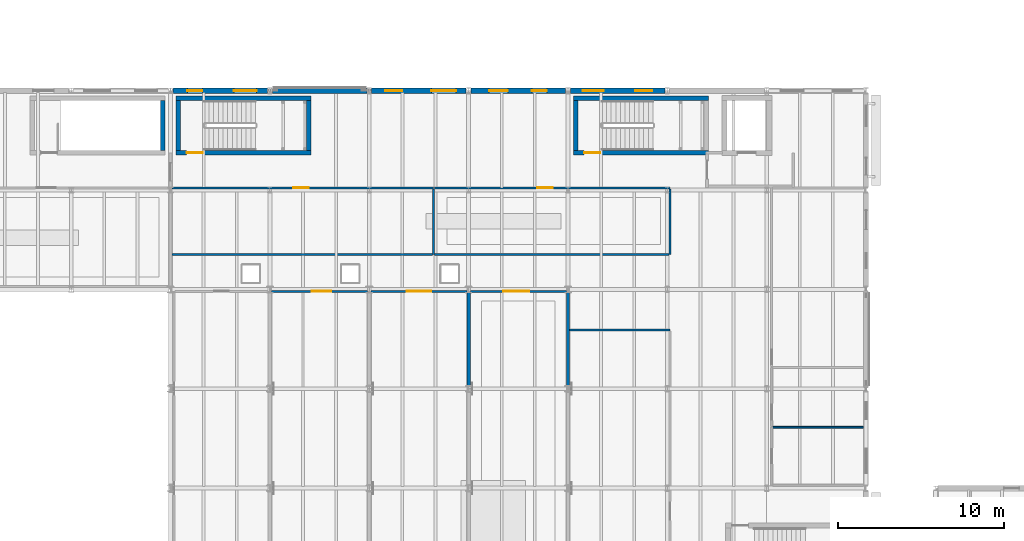
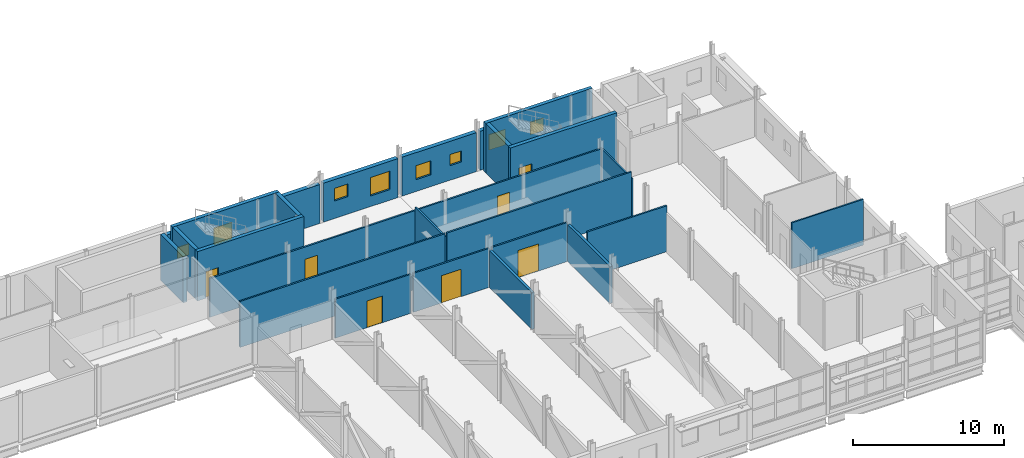
# One storey, part 70 of 92: 26 walls, 8 windows, 7 doors, 15 openings.
"""IFC4 building model written with IfcOpenShell, lengths in metres."""

import ifcopenshell
import ifcopenshell.guid

model = None  # the IFC model being written
_history = None  # IfcOwnerHistory: only IFC2X3 demands one
_inside = {}  # id of a spatial element -> (the spatial element, [elements in it])
_under = {}  # id of a project, library or spatial element -> (it, [spatial elements below it])
_declared = {}  # id of a project -> (the project, [libraries it declares])
_typed = {}  # id of a type object -> (the type object, [elements of that type])
_made_of = {}  # id of a material, layer set ... -> (it, [elements and type objects made of it])


def new_model(schema):
    """Start an empty IFC model of exactly this schema.

    Asked for "IFC4X3", IfcOpenShell would pick the latest addendum, in which some entities
    have other attributes; the version numbers below select the first issue.
    IFC2X3 requires an IfcOwnerHistory on every rooted entity: one is made here for all.
    """
    global model, _history
    if schema == "IFC4X3":
        model = ifcopenshell.file(schema_version=(4, 3, 0, 0))
    else:
        model = ifcopenshell.file(schema=schema)
    _inside.clear()
    _under.clear()
    _declared.clear()
    _typed.clear()
    _made_of.clear()
    _history = None
    if model.schema == "IFC2X3":
        org = make("IfcOrganization", Name="unknown")
        user = make(
            "IfcPersonAndOrganization",
            ThePerson=make("IfcPerson", FamilyName="unknown"),
            TheOrganization=org,
        )
        app = make(
            "IfcApplication",
            ApplicationDeveloper=org,
            Version="unknown",
            ApplicationFullName="unknown",
            ApplicationIdentifier="unknown",
        )
        _history = make(
            "IfcOwnerHistory",
            OwningUser=user,
            OwningApplication=app,
            ChangeAction="ADDED",
            CreationDate=0,
        )
    return model


def make(cls, **values):
    """One entity of the class cls with the attributes given. An attribute that is None is left unset."""
    return model.create_entity(
        cls, **{name: value for name, value in values.items() if value is not None}
    )


def rooted(cls, **values):
    """An entity with a GlobalId (a new one), such as an element, a storey or a relation."""
    return make(cls, GlobalId=ifcopenshell.guid.new(), OwnerHistory=_history, **values)


def si_unit(unit_type, name, prefix=None):
    """IfcSIUnit, for example si_unit("LENGTHUNIT", "METRE", prefix="MILLI")."""
    return make("IfcSIUnit", UnitType=unit_type, Prefix=prefix, Name=name)


def assignment(units):
    """IfcUnitAssignment: the units of a project."""
    return None if units is None else make("IfcUnitAssignment", Units=units)


def point(xyz):
    """IfcCartesianPoint."""
    return None if xyz is None else make("IfcCartesianPoint", Coordinates=xyz)


def direction(xyz):
    """IfcDirection."""
    return None if xyz is None else make("IfcDirection", DirectionRatios=xyz)


def frame(location, z_axis=None, x_axis=None):
    """IfcAxis2Placement3D, a coordinate frame: its origin and axes. An axis left out is left unset."""
    return make(
        "IfcAxis2Placement3D",
        Location=point(location),
        Axis=direction(z_axis),
        RefDirection=direction(x_axis),
    )


def frame_2d(location, x_axis=None):
    """IfcAxis2Placement2D, a coordinate frame in the plane: its origin and x axis."""
    return make(
        "IfcAxis2Placement2D", Location=point(location), RefDirection=direction(x_axis)
    )


def origin():
    """The frame at (0, 0, 0) with its axes left unset."""
    return frame((0.0, 0.0, 0.0))


def place(relative_to, where):
    """IfcLocalPlacement: puts the frame where relative to a parent placement (None: the world)."""
    return make(
        "IfcLocalPlacement", PlacementRelTo=relative_to, RelativePlacement=where
    )


def context(
    kind, dimensions, precision=None, world=None, true_north=None, identifier=None
):
    """IfcGeometricRepresentationContext, for example the 3D "Model" context."""
    return make(
        "IfcGeometricRepresentationContext",
        ContextIdentifier=identifier,
        ContextType=kind,
        CoordinateSpaceDimension=dimensions,
        Precision=precision,
        WorldCoordinateSystem=world,
        TrueNorth=true_north,
    )


def subcontext(parent, identifier, kind, view, scale=None):
    """IfcGeometricRepresentationSubContext, for example "Body" below "Model"."""
    return make(
        "IfcGeometricRepresentationSubContext",
        ContextIdentifier=identifier,
        ContextType=kind,
        ParentContext=parent,
        TargetScale=scale,
        TargetView=view,
    )


def project(units=None, contexts=None):
    """IfcProject with its units and contexts."""
    return rooted(
        "IfcProject",
        Name="project",
        RepresentationContexts=contexts,
        UnitsInContext=assignment(units),
    )


def spatial(cls, under=None, at=None, **own):
    """A site, building, storey or space (cls), placed at a placement, below another one or the project."""
    s = rooted(cls, ObjectPlacement=at, **own)
    if under is not None:
        _under.setdefault(under.id(), (under, []))[1].append(s)
    return s


def profile(cls, at=None, kind="AREA", **sizes):
    """A parametric profile (cls). Its sizes go by their IFC names, for example OverallWidth=200.0."""
    return make(cls, ProfileType=kind, Position=at, **sizes)


def rectangle(**sizes):
    """IfcRectangleProfileDef."""
    return profile("IfcRectangleProfileDef", **sizes)


def extrude(swept, where, along, depth):
    """IfcExtrudedAreaSolid: the profile swept, set in the frame where, extruded along a direction by depth."""
    return make(
        "IfcExtrudedAreaSolid",
        SweptArea=swept,
        Position=where,
        ExtrudedDirection=direction(along),
        Depth=depth,
    )


def shape(context_of_items, identifier, shape_type, items):
    """IfcShapeRepresentation: the items that make up one representation, for example the "Body"."""
    return make(
        "IfcShapeRepresentation",
        ContextOfItems=context_of_items,
        RepresentationIdentifier=identifier,
        RepresentationType=shape_type,
        Items=items,
    )


def material(Name=None, Category=None):
    """IfcMaterial."""
    return make("IfcMaterial", Name=Name, Category=Category)


def layer(
    of_material, thickness, ventilated=None, Name=None, Category=None, Priority=None
):
    """IfcMaterialLayer: one layer of a wall or slab, of a material (None: an air gap)."""
    return make(
        "IfcMaterialLayer",
        Material=of_material,
        LayerThickness=thickness,
        IsVentilated=ventilated,
        Name=Name,
        Category=Category,
        Priority=Priority,
    )


def layer_set(layers, Name=None):
    """IfcMaterialLayerSet."""
    return make("IfcMaterialLayerSet", MaterialLayers=layers, LayerSetName=Name)


def made_of(thing, what):
    """Note that an element or type object is made of a material, layer set ...; save() writes the relation."""
    if what is not None:
        _made_of.setdefault(what.id(), (what, []))[1].append(thing)
    return thing


def type_object(cls, material=None, **own):
    """A type object (cls), such as IfcWallType, which elements share."""
    return made_of(rooted(cls, **own), material)


def element(
    cls,
    number,
    at=None,
    inside=None,
    cuts=None,
    type_object=None,
    material=None,
    context=None,
    identifier="Body",
    shape_type=None,
    held_by="IfcProductDefinitionShape",
    body=None,
    shapes=None,
    **own,
):
    """One element of the class cls, such as IfcWall. Its Tag is "e" and its number.

    at: its placement. inside: the storey or other place that contains it. cuts: it is an
    opening in that element (IfcRelVoidsElement). A single representation is given by context,
    identifier, shape_type and body (its items); several are given by shapes. held_by: the class
    of the entity that holds the representations. save() writes the other relations.
    """
    e = rooted(cls, Tag="e%d" % number, ObjectPlacement=at, **own)
    if body is not None:
        shapes = [shape(context, identifier, shape_type, body)]
    if shapes is not None:
        e.Representation = make(held_by, Representations=shapes)
    if inside is not None:
        _inside.setdefault(inside.id(), (inside, []))[1].append(e)
    if cuts is not None:
        rooted(
            "IfcRelVoidsElement", RelatingBuildingElement=cuts, RelatedOpeningElement=e
        )
    if type_object is not None:
        _typed.setdefault(type_object.id(), (type_object, []))[1].append(e)
    return made_of(e, material)


def fill(opening, filler):
    """IfcRelFillsElement: the door or window that sits in an opening."""
    return rooted(
        "IfcRelFillsElement",
        RelatingOpeningElement=opening,
        RelatedBuildingElement=filler,
    )


def aggregate(whole, parts):
    """IfcRelAggregates: a whole, such as a stair, and the parts it consists of."""
    return rooted("IfcRelAggregates", RelatingObject=whole, RelatedObjects=parts)


def save(model, path):
    """Write the relations noted so far, then the file.

    IfcRelAggregates (storeys below a building ...), IfcRelContainedInSpatialStructure (elements
    in a storey), IfcRelDefinesByType, IfcRelAssociatesMaterial and IfcRelDeclares: one each for
    every whole, place, type object, material and project.
    """
    for whole, parts in _under.values():
        aggregate(whole, parts)
    for where, things in _inside.values():
        rooted(
            "IfcRelContainedInSpatialStructure",
            RelatedElements=things,
            RelatingStructure=where,
        )
    for kind, things in _typed.values():
        rooted("IfcRelDefinesByType", RelatedObjects=things, RelatingType=kind)
    for what, things in _made_of.values():
        rooted("IfcRelAssociatesMaterial", RelatedObjects=things, RelatingMaterial=what)
    for by, libraries in _declared.values():
        rooted("IfcRelDeclares", RelatingContext=by, RelatedDefinitions=libraries)
    model.write(path)


model = new_model("IFC4")

# Units and contexts
model_context = context("Model", 3, precision=1e-05, world=origin(), true_north=direction((0.0, 1.0)))
body_context = subcontext(model_context, "Body", "Model", "MODEL_VIEW")
ifc_project = project(units=[si_unit("LENGTHUNIT", "METRE"), si_unit("AREAUNIT", "SQUARE_METRE"), si_unit("VOLUMEUNIT", "CUBIC_METRE"), si_unit("PLANEANGLEUNIT", "RADIAN"), si_unit("MASSUNIT", "GRAM", prefix="KILO")], contexts=[model_context])

# Site, building, storey
site_placement = place(None, origin())
site = spatial("IfcSite", under=ifc_project, at=site_placement, CompositionType="ELEMENT")
building_placement = place(site_placement, origin())
building = spatial("IfcBuilding", under=site, at=building_placement, Name="Siltcreek Boulevard Central Fire Station", CompositionType="ELEMENT")
storey_placement = place(building_placement, frame((0.0, 0.0, 6.0)))
storey = spatial("IfcBuildingStorey", under=building, at=storey_placement, Name="L02", CompositionType="ELEMENT", Elevation=6.0)

# Wall
ifc_material_1 = material(Name="Concrete C40/50", Category="concrete")
ifc_layer_1 = layer(ifc_material_1, 0.280029296875, Name="Concrete C40/50")
ifc_layer_set_1 = layer_set([ifc_layer_1], Name="Concrete C40/50")
wall_type_1 = type_object("IfcWallType", Name="CW_SHEAR280", PredefinedType="SHEAR", material=ifc_layer_set_1)
wall_1_placement = place(storey_placement, frame((65.5400390625, 50.39990234375, 0.0), z_axis=(0.0, 0.0, 1.0), x_axis=(0.0, 1.0, 0.0)))
element("IfcWall", 1, at=wall_1_placement, inside=storey, type_object=wall_type_1, Name="L02 ST-V1B stair enclosure east shear wall", PredefinedType="SHEAR", context=body_context, shape_type="SweptSolid", body=[
    extrude(rectangle(XDim=3.0, YDim=0.280029296875, at=frame_2d((1.5, 0.0))), origin(), (0.0, 0.0, 1.0), 3.75),
])

# Wall, opening, door
wall_2_placement = place(storey_placement, frame((90.320068359375, 50.260009765625, 0.0), z_axis=(0.0, 0.0, 1.0), x_axis=(1.0, 0.0, 0.0)))
wall_2 = element("IfcWall", 2, at=wall_2_placement, inside=storey, type_object=wall_type_1, Name="L02 ST-V2A stair enclosure south shear wall", PredefinedType="SHEAR", context=body_context, shape_type="SweptSolid", body=[
    extrude(rectangle(XDim=8.159912109375, YDim=0.280029296875, at=frame_2d((4.080078125, 0.0))), origin(), (0.0, 0.0, 1.0), 4.0),
])
opening_1_placement = place(wall_2_placement, frame((0.64990234375, 0.0, 0.0)))
opening_1 = element("IfcOpeningElement", 3, at=opening_1_placement, cuts=wall_2, Name="Opening SD-010", PredefinedType="OPENING", context=body_context, shape_type="SweptSolid", body=[
    extrude(rectangle(XDim=0.97998046875, YDim=2.14990234375, at=frame_2d((0.489990234375, 1.074951171875))), frame((0.0, 0.14990234375, 0.0), z_axis=(0.0, -1.0, 0.0), x_axis=(1.0, 0.0, 0.0)), (0.0, 0.0, 1.0), 0.300048828125),
])
ifc_material_2 = material(Name="Hollow metal 90-min enclosed stair door")
door_type_1 = type_object("IfcDoorType", Name="DR_ST_098X215", OperationType="NOTDEFINED", PredefinedType="DOOR", material=ifc_material_2)
door_1_placement = place(opening_1_placement, origin())
door_1 = element("IfcDoor", 4, at=door_1_placement, inside=storey, type_object=door_type_1, Name="L02 ST-V2A enclosed exit stair door SD-010", OperationType="SINGLE_SWING_LEFT", OverallHeight=2.14990234375, OverallWidth=0.97998046875, PredefinedType="DOOR", context=body_context, shape_type="SweptSolid", body=[
    extrude(rectangle(XDim=0.97998046875, YDim=2.14990234375, at=frame_2d((0.489990234375, 1.074951171875))), frame((0.0, 0.02490234375, 0.0), z_axis=(0.0, -1.0, 0.0), x_axis=(1.0, 0.0, 0.0)), (0.0, 0.0, 1.0), 0.050048828125),
])
fill(opening_1, door_1)

# Walls
wall_3_placement = place(storey_placement, frame((98.47998046875, 53.5400390625, 0.0), z_axis=(0.0, 0.0, 1.0), x_axis=(-1.0, 0.0, 0.0)))
element("IfcWall", 5, at=wall_3_placement, inside=storey, type_object=wall_type_1, Name="L02 ST-V2A stair enclosure north shear wall", PredefinedType="SHEAR", context=body_context, shape_type="SweptSolid", body=[
    extrude(rectangle(XDim=8.159912109375, YDim=0.280029296875, at=frame_2d((4.080078125, 0.0))), origin(), (0.0, 0.0, 1.0), 4.0),
])
wall_4_placement = place(storey_placement, frame((90.4599609375, 53.39990234375, 0.0), z_axis=(0.0, 0.0, 1.0), x_axis=(0.0, -1.0, 0.0)))
element("IfcWall", 6, at=wall_4_placement, inside=storey, type_object=wall_type_1, Name="L02 ST-V2A stair enclosure west shear wall", PredefinedType="SHEAR", context=body_context, shape_type="SweptSolid", body=[
    extrude(rectangle(XDim=3.0, YDim=0.280029296875, at=frame_2d((1.5, 0.0))), origin(), (0.0, 0.0, 1.0), 4.0),
])

# Wall, opening, door
wall_5_placement = place(storey_placement, frame((66.320068359375, 50.260009765625, 0.0), z_axis=(0.0, 0.0, 1.0), x_axis=(1.0, 0.0, 0.0)))
wall_5 = element("IfcWall", 7, at=wall_5_placement, inside=storey, type_object=wall_type_1, Name="L02 ST-V2C stair enclosure south shear wall", PredefinedType="SHEAR", context=body_context, shape_type="SweptSolid", body=[
    extrude(rectangle(XDim=8.159912109375, YDim=0.280029296875, at=frame_2d((4.080078125, 0.0))), origin(), (0.0, 0.0, 1.0), 4.0),
])
opening_2_placement = place(wall_5_placement, frame((0.64990234375, 0.0, 0.0)))
opening_2 = element("IfcOpeningElement", 8, at=opening_2_placement, cuts=wall_5, Name="Opening SD-016", PredefinedType="OPENING", context=body_context, shape_type="SweptSolid", body=[
    extrude(rectangle(XDim=0.97998046875, YDim=2.14990234375, at=frame_2d((0.489990234375, 1.074951171875))), frame((0.0, 0.14990234375, 0.0), z_axis=(0.0, -1.0, 0.0), x_axis=(1.0, 0.0, 0.0)), (0.0, 0.0, 1.0), 0.300048828125),
])
door_2_placement = place(opening_2_placement, origin())
door_2 = element("IfcDoor", 9, at=door_2_placement, inside=storey, type_object=door_type_1, Name="L02 ST-V2C enclosed exit stair door SD-016", OperationType="SINGLE_SWING_LEFT", OverallHeight=2.14990234375, OverallWidth=0.97998046875, PredefinedType="DOOR", context=body_context, shape_type="SweptSolid", body=[
    extrude(rectangle(XDim=0.97998046875, YDim=2.14990234375, at=frame_2d((0.489990234375, 1.074951171875))), frame((0.0, 0.02490234375, 0.0), z_axis=(0.0, -1.0, 0.0), x_axis=(1.0, 0.0, 0.0)), (0.0, 0.0, 1.0), 0.050048828125),
])
fill(opening_2, door_2)

# Walls
wall_6_placement = place(storey_placement, frame((74.47998046875, 53.5400390625, 0.0), z_axis=(0.0, 0.0, 1.0), x_axis=(-1.0, 0.0, 0.0)))
element("IfcWall", 10, at=wall_6_placement, inside=storey, type_object=wall_type_1, Name="L02 ST-V2C stair enclosure north shear wall", PredefinedType="SHEAR", context=body_context, shape_type="SweptSolid", body=[
    extrude(rectangle(XDim=8.159912109375, YDim=0.280029296875, at=frame_2d((4.080078125, 0.0))), origin(), (0.0, 0.0, 1.0), 4.0),
])
for number, where, z_axis, x_axis, name in (
    (11, (66.4599609375, 53.39990234375, 0.0), (0.0, 0.0, 1.0), (0.0, -1.0, 0.0), "L02 ST-V2C stair enclosure west shear wall"),
    (12, (74.340087890625, 50.39990234375, 0.0), (0.0, 0.0, 1.0), (0.0, 1.0, 0.0), "L02 ST-V2C stair enclosure east shear wall"),
):
    element("IfcWall", number, at=place(storey_placement, frame(where, z_axis=z_axis, x_axis=x_axis)), inside=storey, type_object=wall_type_1, Name=name, PredefinedType="SHEAR", context=body_context, shape_type="SweptSolid", body=[
        extrude(rectangle(XDim=3.0, YDim=0.280029296875, at=frame_2d((1.5, 0.0))), origin(), (0.0, 0.0, 1.0), 4.0),
    ])

# Wall, openings, windows
ifc_material_3 = material(Name="White ribbed aluminum insulated rainscreen panel", Category="aluminium")
ifc_layer_2 = layer(ifc_material_3, 0.320068359375, Name="White ribbed aluminum insulated rainscreen panel")
ifc_layer_set_2 = layer_set([ifc_layer_2], Name="White ribbed aluminum insulated rainscreen panel")
wall_type_2 = type_object("IfcWallType", Name="EW_METAL320", PredefinedType="STANDARD", material=ifc_layer_set_2)
wall_7_placement = place(storey_placement, frame((71.85498046875, 54.0, 0.0), z_axis=(0.0, 0.0, 1.0), x_axis=(-1.0, 0.0, 0.0)))
wall_7 = element("IfcWall", 13, at=wall_7_placement, inside=storey, type_object=wall_type_2, Name="L02 V2 exterior insulated rainscreen wall WL-EXT-L02-0068", PredefinedType="STANDARD", context=body_context, shape_type="SweptSolid", body=[
    extrude(rectangle(XDim=5.7099609375, YDim=0.320068359375, at=frame_2d((2.85498046875, 0.0))), origin(), (0.0, 0.0, 1.0), 3.153076171875),
])
opening_3_placement = place(wall_7_placement, frame((0.64892578125, 0.0, 0.9599609375)))
opening_3 = element("IfcOpeningElement", 14, at=opening_3_placement, cuts=wall_7, Name="Opening WN41", PredefinedType="OPENING", context=body_context, shape_type="SweptSolid", body=[
    extrude(rectangle(XDim=1.3798828125, YDim=1.3798828125, at=frame_2d((0.68994140625, 0.68994140625))), frame((0.0, 0.169921875, 0.0), z_axis=(0.0, -1.0, 0.0), x_axis=(1.0, 0.0, 0.0)), (0.0, 0.0, 1.0), 0.340087890625),
])
opening_4_placement = place(wall_7_placement, frame((3.93310546875, 0.0, 0.860107421875)))
opening_4 = element("IfcOpeningElement", 15, at=opening_4_placement, cuts=wall_7, Name="Opening WN37", PredefinedType="OPENING", context=body_context, shape_type="SweptSolid", body=[
    extrude(rectangle(XDim=0.89990234375, YDim=0.89990234375, at=frame_2d((0.449951171875, 0.449951171875))), frame((0.0, 0.169921875, 0.0), z_axis=(0.0, -1.0, 0.0), x_axis=(1.0, 0.0, 0.0)), (0.0, 0.0, 1.0), 0.340087890625),
])
ifc_material_4 = material(Name="Thermally broken aluminum frame with low-E insulated glass", Category="aluminium")
window_type_1 = type_object("IfcWindowType", Name="WN_SQ_090X090", PartitioningType="SINGLE_PANEL", PredefinedType="WINDOW", material=ifc_material_4)
window_1_placement = place(opening_4_placement, origin())
window_1 = element("IfcWindow", 16, at=window_1_placement, inside=storey, type_object=window_type_1, Name="L02 V2 square exterior window WN-0042", OverallHeight=0.89990234375, OverallWidth=0.89990234375, PartitioningType="SINGLE_PANEL", PredefinedType="WINDOW", context=body_context, shape_type="SweptSolid", body=[
    extrude(rectangle(XDim=0.89990234375, YDim=0.89990234375, at=frame_2d((0.449951171875, 0.449951171875))), frame((0.0, 0.030029296875, 0.0), z_axis=(0.0, -1.0, 0.0), x_axis=(1.0, 0.0, 0.0)), (0.0, 0.0, 1.0), 0.06005859375),
])
fill(opening_4, window_1)
window_type_2 = type_object("IfcWindowType", Name="WN_SQ_138X138", PartitioningType="SINGLE_PANEL", PredefinedType="WINDOW", material=ifc_material_4)
window_2_placement = place(opening_3_placement, origin())
window_2 = element("IfcWindow", 17, at=window_2_placement, inside=storey, type_object=window_type_2, Name="L02 V2 square exterior window WN-0041", OverallHeight=1.3798828125, OverallWidth=1.3798828125, PartitioningType="SINGLE_PANEL", PredefinedType="WINDOW", context=body_context, shape_type="SweptSolid", body=[
    extrude(rectangle(XDim=1.3798828125, YDim=1.3798828125, at=frame_2d((0.68994140625, 0.68994140625))), frame((0.0, 0.030029296875, 0.0), z_axis=(0.0, -1.0, 0.0), x_axis=(1.0, 0.0, 0.0)), (0.0, 0.0, 1.0), 0.06005859375),
])
fill(opening_3, window_2)

# Wall
wall_8_placement = place(storey_placement, frame((77.85498046875, 54.0, 0.0), z_axis=(0.0, 0.0, 1.0), x_axis=(-1.0, 0.0, 0.0)))
element("IfcWall", 18, at=wall_8_placement, inside=storey, type_object=wall_type_2, Name="L02 V2 exterior insulated rainscreen wall WL-EXT-L02-0069", PredefinedType="STANDARD", context=body_context, shape_type="SweptSolid", body=[
    extrude(rectangle(XDim=5.7099609375, YDim=0.320068359375, at=frame_2d((2.85498046875, 0.0))), origin(), (0.0, 0.0, 1.0), 3.153076171875),
])

# Wall, openings, windows
wall_9_placement = place(storey_placement, frame((83.85498046875, 54.0, 0.0), z_axis=(0.0, 0.0, 1.0), x_axis=(-1.0, 0.0, 0.0)))
wall_9 = element("IfcWall", 19, at=wall_9_placement, inside=storey, type_object=wall_type_2, Name="L02 V2 exterior insulated rainscreen wall WL-EXT-L02-0070", PredefinedType="STANDARD", context=body_context, shape_type="SweptSolid", body=[
    extrude(rectangle(XDim=5.7099609375, YDim=0.320068359375, at=frame_2d((2.85498046875, 0.0))), origin(), (0.0, 0.0, 1.0), 3.153076171875),
])
opening_5_placement = place(wall_9_placement, frame((0.60693359375, 0.0, 0.860107421875)))
opening_5 = element("IfcOpeningElement", 20, at=opening_5_placement, cuts=wall_9, Name="Opening WN42", PredefinedType="OPENING", context=body_context, shape_type="SweptSolid", body=[
    extrude(rectangle(XDim=1.5, YDim=1.5, at=frame_2d((0.75, 0.75))), frame((0.0, 0.169921875, 0.0), z_axis=(0.0, -1.0, 0.0), x_axis=(1.0, 0.0, 0.0)), (0.0, 0.0, 1.0), 0.340087890625),
])
opening_6_placement = place(wall_9_placement, frame((3.855224609375, 0.0, 1.419921875)))
opening_6 = element("IfcOpeningElement", 21, at=opening_6_placement, cuts=wall_9, Name="Opening WN38", PredefinedType="OPENING", context=body_context, shape_type="SweptSolid", body=[
    extrude(rectangle(XDim=1.02001953125, YDim=1.02001953125, at=frame_2d((0.510009765625, 0.510009765625))), frame((0.0, 0.169921875, 0.0), z_axis=(0.0, -1.0, 0.0), x_axis=(1.0, 0.0, 0.0)), (0.0, 0.0, 1.0), 0.340087890625),
])
window_type_3 = type_object("IfcWindowType", Name="WN_SQ_102X102", PartitioningType="SINGLE_PANEL", PredefinedType="WINDOW", material=ifc_material_4)
window_3_placement = place(opening_6_placement, origin())
window_3 = element("IfcWindow", 22, at=window_3_placement, inside=storey, type_object=window_type_3, Name="L02 V2 square exterior window WN-0044", OverallHeight=1.02001953125, OverallWidth=1.02001953125, PartitioningType="SINGLE_PANEL", PredefinedType="WINDOW", context=body_context, shape_type="SweptSolid", body=[
    extrude(rectangle(XDim=1.02001953125, YDim=1.02001953125, at=frame_2d((0.510009765625, 0.510009765625))), frame((0.0, 0.030029296875, 0.0), z_axis=(0.0, -1.0, 0.0), x_axis=(1.0, 0.0, 0.0)), (0.0, 0.0, 1.0), 0.06005859375),
])
fill(opening_6, window_3)
window_type_4 = type_object("IfcWindowType", Name="WN_SQ_150X150", PartitioningType="SINGLE_PANEL", PredefinedType="WINDOW", material=ifc_material_4)
window_4_placement = place(opening_5_placement, origin())
window_4 = element("IfcWindow", 23, at=window_4_placement, inside=storey, type_object=window_type_4, Name="L02 V2 square exterior window WN-0043", OverallHeight=1.5, OverallWidth=1.5, PartitioningType="SINGLE_PANEL", PredefinedType="WINDOW", context=body_context, shape_type="SweptSolid", body=[
    extrude(rectangle(XDim=1.5, YDim=1.5, at=frame_2d((0.75, 0.75))), frame((0.0, 0.030029296875, 0.0), z_axis=(0.0, -1.0, 0.0), x_axis=(1.0, 0.0, 0.0)), (0.0, 0.0, 1.0), 0.06005859375),
])
fill(opening_5, window_4)

wall_10_placement = place(storey_placement, frame((89.85498046875, 54.0, 0.0), z_axis=(0.0, 0.0, 1.0), x_axis=(-1.0, 0.0, 0.0)))
wall_10 = element("IfcWall", 24, at=wall_10_placement, inside=storey, type_object=wall_type_2, Name="L02 V2 exterior insulated rainscreen wall WL-EXT-L02-0071", PredefinedType="STANDARD", context=body_context, shape_type="SweptSolid", body=[
    extrude(rectangle(XDim=5.7099609375, YDim=0.320068359375, at=frame_2d((2.85498046875, 0.0))), origin(), (0.0, 0.0, 1.0), 3.153076171875),
])
opening_7_placement = place(wall_10_placement, frame((1.13134765625, 0.0, 1.179931640625)))
opening_7 = element("IfcOpeningElement", 25, at=opening_7_placement, cuts=wall_10, Name="Opening WN37", PredefinedType="OPENING", context=body_context, shape_type="SweptSolid", body=[
    extrude(rectangle(XDim=0.89990234375, YDim=0.89990234375, at=frame_2d((0.449951171875, 0.449951171875))), frame((0.0, 0.169921875, 0.0), z_axis=(0.0, -1.0, 0.0), x_axis=(1.0, 0.0, 0.0)), (0.0, 0.0, 1.0), 0.340087890625),
])
opening_8_placement = place(wall_10_placement, frame((3.4833984375, 0.0, 0.9599609375)))
opening_8 = element("IfcOpeningElement", 26, at=opening_8_placement, cuts=wall_10, Name="Opening WN39", PredefinedType="OPENING", context=body_context, shape_type="SweptSolid", body=[
    extrude(rectangle(XDim=1.139892578125, YDim=1.139892578125, at=frame_2d((0.56982421875, 0.56982421875))), frame((0.0, 0.169921875, 0.0), z_axis=(0.0, -1.0, 0.0), x_axis=(1.0, 0.0, 0.0)), (0.0, 0.0, 1.0), 0.340087890625),
])
window_5_placement = place(opening_7_placement, origin())
window_5 = element("IfcWindow", 27, at=window_5_placement, inside=storey, type_object=window_type_1, Name="L02 V2 square exterior window WN-0045", OverallHeight=0.89990234375, OverallWidth=0.89990234375, PartitioningType="SINGLE_PANEL", PredefinedType="WINDOW", context=body_context, shape_type="SweptSolid", body=[
    extrude(rectangle(XDim=0.89990234375, YDim=0.89990234375, at=frame_2d((0.449951171875, 0.449951171875))), frame((0.0, 0.030029296875, 0.0), z_axis=(0.0, -1.0, 0.0), x_axis=(1.0, 0.0, 0.0)), (0.0, 0.0, 1.0), 0.06005859375),
])
fill(opening_7, window_5)
window_type_5 = type_object("IfcWindowType", Name="WN_SQ_114X114", PartitioningType="SINGLE_PANEL", PredefinedType="WINDOW", material=ifc_material_4)
window_6_placement = place(opening_8_placement, origin())
window_6 = element("IfcWindow", 28, at=window_6_placement, inside=storey, type_object=window_type_5, Name="L02 V2 square exterior window WN-0046", OverallHeight=1.139892578125, OverallWidth=1.139892578125, PartitioningType="SINGLE_PANEL", PredefinedType="WINDOW", context=body_context, shape_type="SweptSolid", body=[
    extrude(rectangle(XDim=1.139892578125, YDim=1.139892578125, at=frame_2d((0.56982421875, 0.56982421875))), frame((0.0, 0.030029296875, 0.0), z_axis=(0.0, -1.0, 0.0), x_axis=(1.0, 0.0, 0.0)), (0.0, 0.0, 1.0), 0.06005859375),
])
fill(opening_8, window_6)

wall_11_placement = place(storey_placement, frame((95.85498046875, 54.0, 0.0), z_axis=(0.0, 0.0, 1.0), x_axis=(-1.0, 0.0, 0.0)))
wall_11 = element("IfcWall", 29, at=wall_11_placement, inside=storey, type_object=wall_type_2, Name="L02 V2 exterior insulated rainscreen wall WL-EXT-L02-0072", PredefinedType="STANDARD", context=body_context, shape_type="SweptSolid", body=[
    extrude(rectangle(XDim=5.7099609375, YDim=0.320068359375, at=frame_2d((2.85498046875, 0.0))), origin(), (0.0, 0.0, 1.0), 3.153076171875),
])
opening_9_placement = place(wall_11_placement, frame((0.77490234375, 0.0, 1.419921875)))
opening_9 = element("IfcOpeningElement", 30, at=opening_9_placement, cuts=wall_11, Name="Opening WN38", PredefinedType="OPENING", context=body_context, shape_type="SweptSolid", body=[
    extrude(rectangle(XDim=1.02001953125, YDim=1.02001953125, at=frame_2d((0.510009765625, 0.510009765625))), frame((0.0, 0.169921875, 0.0), z_axis=(0.0, -1.0, 0.0), x_axis=(1.0, 0.0, 0.0)), (0.0, 0.0, 1.0), 0.340087890625),
])
opening_10_placement = place(wall_11_placement, frame((3.69921875, 0.0, 1.280029296875)))
opening_10 = element("IfcOpeningElement", 31, at=opening_10_placement, cuts=wall_11, Name="Opening WN40", PredefinedType="OPENING", context=body_context, shape_type="SweptSolid", body=[
    extrude(rectangle(XDim=1.260009765625, YDim=1.260009765625, at=frame_2d((0.6298828125, 0.6298828125))), frame((0.0, 0.169921875, 0.0), z_axis=(0.0, -1.0, 0.0), x_axis=(1.0, 0.0, 0.0)), (0.0, 0.0, 1.0), 0.340087890625),
])
window_7_placement = place(opening_9_placement, origin())
window_7 = element("IfcWindow", 32, at=window_7_placement, inside=storey, type_object=window_type_3, Name="L02 V2 square exterior window WN-0047", OverallHeight=1.02001953125, OverallWidth=1.02001953125, PartitioningType="SINGLE_PANEL", PredefinedType="WINDOW", context=body_context, shape_type="SweptSolid", body=[
    extrude(rectangle(XDim=1.02001953125, YDim=1.02001953125, at=frame_2d((0.510009765625, 0.510009765625))), frame((0.0, 0.030029296875, 0.0), z_axis=(0.0, -1.0, 0.0), x_axis=(1.0, 0.0, 0.0)), (0.0, 0.0, 1.0), 0.06005859375),
])
fill(opening_9, window_7)
window_type_6 = type_object("IfcWindowType", Name="WN_SQ_126X126", PartitioningType="SINGLE_PANEL", PredefinedType="WINDOW", material=ifc_material_4)
window_8_placement = place(opening_10_placement, origin())
window_8 = element("IfcWindow", 33, at=window_8_placement, inside=storey, type_object=window_type_6, Name="L02 V2 square exterior window WN-0048", OverallHeight=1.260009765625, OverallWidth=1.260009765625, PartitioningType="SINGLE_PANEL", PredefinedType="WINDOW", context=body_context, shape_type="SweptSolid", body=[
    extrude(rectangle(XDim=1.260009765625, YDim=1.260009765625, at=frame_2d((0.6298828125, 0.6298828125))), frame((0.0, 0.030029296875, 0.0), z_axis=(0.0, -1.0, 0.0), x_axis=(1.0, 0.0, 0.0)), (0.0, 0.0, 1.0), 0.06005859375),
])
fill(opening_10, window_8)

# Walls
ifc_material_5 = material(Name="Fire-rated concrete masonry and gypsum barrier", Category="masonry")
ifc_layer_3 = layer(ifc_material_5, 0.199951171875, Name="Fire-rated concrete masonry and gypsum barrier")
ifc_layer_set_3 = layer_set([ifc_layer_3], Name="Fire-rated concrete masonry and gypsum barrier")
wall_type_3 = type_object("IfcWallType", Name="IW_FIRE200", PredefinedType="PARTITIONING", material=ifc_layer_set_3)
for number, where, z_axis, x_axis, name in (
    (34, (84.0, 36.179931640625, 0.0), (0.0, 0.0, 1.0), (0.0, 1.0, 0.0), "L02 transfer-truss fire-rated enclosure wall X84-4"),
    (35, (90.0, 36.179931640625, 0.0), (0.0, 0.0, 1.0), (0.0, 1.0, 0.0), "L02 transfer-truss fire-rated enclosure wall X90-4"),
):
    element("IfcWall", number, at=place(storey_placement, frame(where, z_axis=z_axis, x_axis=x_axis)), inside=storey, type_object=wall_type_3, Name=name, PredefinedType="PARTITIONING", context=body_context, shape_type="SweptSolid", body=[
        extrude(rectangle(XDim=5.64013671875, YDim=0.199951171875, at=frame_2d((2.820068359375, 0.0))), origin(), (0.0, 0.0, 1.0), 2.97998046875),
    ])

# Wall, opening, door
ifc_material_6 = material(Name="Interior steel stud gypsum partition", Category="steel")
ifc_layer_4 = layer(ifc_material_6, 0.125, Name="Interior steel stud gypsum partition")
ifc_layer_set_4 = layer_set([ifc_layer_4], Name="Interior steel stud gypsum partition")
wall_type_4 = type_object("IfcWallType", Name="IW_PART125", PredefinedType="PARTITIONING", material=ifc_layer_set_4)
wall_12_placement = place(storey_placement, frame((72.10009765625, 41.8798828125, 0.0), z_axis=(0.0, 0.0, 1.0), x_axis=(1.0, 0.0, 0.0)))
wall_12 = element("IfcWall", 36, at=wall_12_placement, inside=storey, type_object=wall_type_4, Name="L02 Physical Conditioning Gym partition 0136", PredefinedType="PARTITIONING", context=body_context, shape_type="SweptSolid", body=[
    extrude(rectangle(XDim=5.7998046875, YDim=0.125, at=frame_2d((2.89990234375, 0.0))), origin(), (0.0, 0.0, 1.0), 3.153076171875),
])
opening_11_placement = place(wall_12_placement, frame((2.423095703125, 0.0, 0.0)))
opening_11 = element("IfcOpeningElement", 37, at=opening_11_placement, cuts=wall_12, Name="Opening ID13", PredefinedType="OPENING", context=body_context, shape_type="SweptSolid", body=[
    extrude(rectangle(XDim=1.179931640625, YDim=2.159912109375, at=frame_2d((0.58984375, 1.080078125))), frame((0.0, 0.072509765625, 0.0), z_axis=(0.0, -1.0, 0.0), x_axis=(1.0, 0.0, 0.0)), (0.0, 0.0, 1.0), 0.14501953125),
])
ifc_material_7 = material(Name="Antimicrobial walk-in triage door")
door_type_2 = type_object("IfcDoorType", Name="DR_MED_118X216", OperationType="NOTDEFINED", PredefinedType="DOOR", material=ifc_material_7)
door_3_placement = place(opening_11_placement, frame((1.179931640625, 0.0, 0.0), z_axis=(0.0, 0.0, 1.0), x_axis=(-1.0, 0.0, 0.0)))
door_3 = element("IfcDoor", 38, at=door_3_placement, inside=storey, type_object=door_type_2, Name="L02 Physical Conditioning Gym door ID-0062", OperationType="SINGLE_SWING_LEFT", OverallHeight=2.159912109375, OverallWidth=1.179931640625, PredefinedType="DOOR", context=body_context, shape_type="SweptSolid", body=[
    extrude(rectangle(XDim=1.179931640625, YDim=2.159912109375, at=frame_2d((0.58984375, 1.080078125))), frame((0.0, 0.02490234375, 0.0), z_axis=(0.0, -1.0, 0.0), x_axis=(1.0, 0.0, 0.0)), (0.0, 0.0, 1.0), 0.050048828125),
])
fill(opening_11, door_3)

wall_13_placement = place(storey_placement, frame((78.10009765625, 41.8798828125, 0.0), z_axis=(0.0, 0.0, 1.0), x_axis=(1.0, 0.0, 0.0)))
wall_13 = element("IfcWall", 39, at=wall_13_placement, inside=storey, type_object=wall_type_4, Name="L02 Peer Fitness and Wellness Studio partition 0137", PredefinedType="PARTITIONING", context=body_context, shape_type="SweptSolid", body=[
    extrude(rectangle(XDim=5.7998046875, YDim=0.125, at=frame_2d((2.89990234375, 0.0))), origin(), (0.0, 0.0, 1.0), 3.153076171875),
])
opening_12_placement = place(wall_13_placement, frame((2.14990234375, 0.0, 0.0)))
opening_12 = element("IfcOpeningElement", 40, at=opening_12_placement, cuts=wall_13, Name="Opening ID14", PredefinedType="OPENING", context=body_context, shape_type="SweptSolid", body=[
    extrude(rectangle(XDim=1.5, YDim=2.219970703125, at=frame_2d((0.75, 1.10986328125))), frame((0.0, 0.072509765625, 0.0), z_axis=(0.0, -1.0, 0.0), x_axis=(1.0, 0.0, 0.0)), (0.0, 0.0, 1.0), 0.14501953125),
])
ifc_material_8 = material(Name="Glazed conditioning gym pair")
door_type_3 = type_object("IfcDoorType", Name="DR_GYM_150X222", OperationType="NOTDEFINED", PredefinedType="DOOR", material=ifc_material_8)
door_4_placement = place(opening_12_placement, frame((1.5, 0.0, 0.0), z_axis=(0.0, 0.0, 1.0), x_axis=(-1.0, 0.0, 0.0)))
door_4 = element("IfcDoor", 41, at=door_4_placement, inside=storey, type_object=door_type_3, Name="L02 Peer Fitness and Wellness Studio door ID-0063", OperationType="SINGLE_SWING_RIGHT", OverallHeight=2.219970703125, OverallWidth=1.5, PredefinedType="DOOR", context=body_context, shape_type="SweptSolid", body=[
    extrude(rectangle(XDim=1.5, YDim=2.219970703125, at=frame_2d((0.75, 1.10986328125))), frame((0.0, 0.02490234375, 0.0), z_axis=(0.0, -1.0, 0.0), x_axis=(1.0, 0.0, 0.0)), (0.0, 0.0, 1.0), 0.050048828125),
])
fill(opening_12, door_4)

wall_14_placement = place(storey_placement, frame((84.10009765625, 41.8798828125, 0.0), z_axis=(0.0, 0.0, 1.0), x_axis=(1.0, 0.0, 0.0)))
wall_14 = element("IfcWall", 42, at=wall_14_placement, inside=storey, type_object=wall_type_4, Name="L02 Shift Briefing Study Room partition 0138", PredefinedType="PARTITIONING", context=body_context, shape_type="SweptSolid", body=[
    extrude(rectangle(XDim=5.7998046875, YDim=0.125, at=frame_2d((2.89990234375, 0.0))), origin(), (0.0, 0.0, 1.0), 3.153076171875),
])
opening_13_placement = place(wall_14_placement, frame((1.995361328125, 0.0, 0.0)))
opening_13 = element("IfcOpeningElement", 43, at=opening_13_placement, cuts=wall_14, Name="Opening AD02", PredefinedType="OPENING", context=body_context, shape_type="SweptSolid", body=[
    extrude(rectangle(XDim=1.580078125, YDim=2.199951171875, at=frame_2d((0.7900390625, 1.10009765625))), frame((0.0, 0.072509765625, 0.0), z_axis=(0.0, -1.0, 0.0), x_axis=(1.0, 0.0, 0.0)), (0.0, 0.0, 1.0), 0.14501953125),
])
ifc_material_9 = material(Name="Glazed acoustic assembly hall double door")
door_type_4 = type_object("IfcDoorType", Name="DR_HAL_158X220", OperationType="NOTDEFINED", PredefinedType="DOOR", material=ifc_material_9)
door_5_placement = place(opening_13_placement, frame((1.580078125, 0.0, 0.0), z_axis=(0.0, 0.0, 1.0), x_axis=(-1.0, 0.0, 0.0)))
door_5 = element("IfcDoor", 44, at=door_5_placement, inside=storey, type_object=door_type_4, Name="L02 Shift Briefing Study Room door ID-0064", OperationType="DOUBLE_DOOR_SINGLE_SWING", OverallHeight=2.199951171875, OverallWidth=1.580078125, PredefinedType="DOOR", context=body_context, shape_type="SweptSolid", body=[
    extrude(rectangle(XDim=1.580078125, YDim=2.199951171875, at=frame_2d((0.7900390625, 1.10009765625))), frame((0.0, 0.02490234375, 0.0), z_axis=(0.0, -1.0, 0.0), x_axis=(1.0, 0.0, 0.0)), (0.0, 0.0, 1.0), 0.050048828125),
])
fill(opening_13, door_5)

# Wall
wall_15_placement = place(storey_placement, frame((90.10009765625, 39.56005859375, 0.0), z_axis=(0.0, 0.0, 1.0), x_axis=(1.0, 0.0, 0.0)))
element("IfcWall", 45, at=wall_15_placement, inside=storey, type_object=wall_type_4, Name="L02 Crew Dayroom and Beanery Mess partition 0139", PredefinedType="PARTITIONING", context=body_context, shape_type="SweptSolid", body=[
    extrude(rectangle(XDim=6.0625, YDim=0.125, at=frame_2d((3.03125, 0.0))), origin(), (0.0, 0.0, 1.0), 3.719970703125),
])

# Wall, opening, door
wall_16_placement = place(storey_placement, frame((66.10009765625, 48.1298828125, 0.0), z_axis=(0.0, 0.0, 1.0), x_axis=(1.0, 0.0, 0.0)))
wall_16 = element("IfcWall", 46, at=wall_16_placement, inside=storey, type_object=wall_type_4, Name="L02 Cardio Recovery Lounge partition 0141", PredefinedType="PARTITIONING", context=body_context, shape_type="SweptSolid", body=[
    extrude(rectangle(XDim=15.782470703125, YDim=0.125, at=frame_2d((7.89111328125, 0.0))), origin(), (0.0, 0.0, 1.0), 3.153076171875),
])
opening_14_placement = place(wall_16_placement, frame((7.2998046875, 0.0, 0.0)))
opening_14 = element("IfcOpeningElement", 47, at=opening_14_placement, cuts=wall_16, Name="Opening ID02", PredefinedType="OPENING", context=body_context, shape_type="SweptSolid", body=[
    extrude(rectangle(XDim=0.9599609375, YDim=2.14990234375, at=frame_2d((0.47998046875, 1.074951171875))), frame((0.0, 0.072509765625, 0.0), z_axis=(0.0, -1.0, 0.0), x_axis=(1.0, 0.0, 0.0)), (0.0, 0.0, 1.0), 0.14501953125),
])
ifc_material_10 = material(Name="Solid-core timber headquarters office door", Category="wood")
door_type_5 = type_object("IfcDoorType", Name="DR_OFF_096X215", OperationType="NOTDEFINED", PredefinedType="DOOR", material=ifc_material_10)
door_6_placement = place(opening_14_placement, frame((0.9599609375, 0.0, 0.0), z_axis=(0.0, 0.0, 1.0), x_axis=(-1.0, 0.0, 0.0)))
door_6 = element("IfcDoor", 48, at=door_6_placement, inside=storey, type_object=door_type_5, Name="L02 Cardio Recovery Lounge door ID-0066", OperationType="SINGLE_SWING_LEFT", OverallHeight=2.14990234375, OverallWidth=0.9599609375, PredefinedType="DOOR", context=body_context, shape_type="SweptSolid", body=[
    extrude(rectangle(XDim=0.9599609375, YDim=2.14990234375, at=frame_2d((0.47998046875, 1.074951171875))), frame((0.0, 0.02490234375, 0.0), z_axis=(0.0, -1.0, 0.0), x_axis=(1.0, 0.0, 0.0)), (0.0, 0.0, 1.0), 0.050048828125),
])
fill(opening_14, door_6)

# Walls
wall_17_placement = place(storey_placement, frame((81.8798828125, 48.0673828125, 0.0), z_axis=(0.0, 0.0, 1.0), x_axis=(0.0, -1.0, 0.0)))
element("IfcWall", 49, at=wall_17_placement, inside=storey, type_object=wall_type_4, Name="L02 Cardio Recovery Lounge partition 0142", PredefinedType="PARTITIONING", context=body_context, shape_type="SweptSolid", body=[
    extrude(rectangle(XDim=3.949951171875, YDim=0.125, at=frame_2d((1.97509765625, 0.0))), origin(), (0.0, 0.0, 1.0), 3.429931640625),
])
wall_18_placement = place(storey_placement, frame((81.8173828125, 44.1201171875, 0.0), z_axis=(0.0, 0.0, 1.0), x_axis=(-1.0, 0.0, 0.0)))
element("IfcWall", 50, at=wall_18_placement, inside=storey, type_object=wall_type_4, Name="L02 Cardio Recovery Lounge partition 0143", PredefinedType="PARTITIONING", context=body_context, shape_type="SweptSolid", body=[
    extrude(rectangle(XDim=15.71728515625, YDim=0.125, at=frame_2d((7.858642578125, 0.0))), origin(), (0.0, 0.0, 1.0), 3.719970703125),
])

# Wall, opening, door
wall_19_placement = place(storey_placement, frame((81.9423828125, 48.1298828125, 0.0), z_axis=(0.0, 0.0, 1.0), x_axis=(1.0, 0.0, 0.0)))
wall_19 = element("IfcWall", 51, at=wall_19_placement, inside=storey, type_object=wall_type_4, Name="L02 Company Tactical Training Room partition 0144", PredefinedType="PARTITIONING", context=body_context, shape_type="SweptSolid", body=[
    extrude(rectangle(XDim=14.22021484375, YDim=0.125, at=frame_2d((7.110107421875, 0.0))), origin(), (0.0, 0.0, 1.0), 3.153076171875),
])
opening_15_placement = place(wall_19_placement, frame((6.19775390625, 0.0, 0.0)))
opening_15 = element("IfcOpeningElement", 52, at=opening_15_placement, cuts=wall_19, Name="Opening ID03", PredefinedType="OPENING", context=body_context, shape_type="SweptSolid", body=[
    extrude(rectangle(XDim=0.929931640625, YDim=2.10009765625, at=frame_2d((0.46484375, 1.050048828125))), frame((0.0, 0.072509765625, 0.0), z_axis=(0.0, -1.0, 0.0), x_axis=(1.0, 0.0, 0.0)), (0.0, 0.0, 1.0), 0.14501953125),
])
ifc_material_11 = material(Name="Solid-core timber station office door", Category="wood")
door_type_6 = type_object("IfcDoorType", Name="DR_OFF_093X210", OperationType="NOTDEFINED", PredefinedType="DOOR", material=ifc_material_11)
door_7_placement = place(opening_15_placement, frame((0.929931640625, 0.0, 0.0), z_axis=(0.0, 0.0, 1.0), x_axis=(-1.0, 0.0, 0.0)))
door_7 = element("IfcDoor", 53, at=door_7_placement, inside=storey, type_object=door_type_6, Name="L02 Company Tactical Training Room door ID-0067", OperationType="SINGLE_SWING_RIGHT", OverallHeight=2.10009765625, OverallWidth=0.929931640625, PredefinedType="DOOR", context=body_context, shape_type="SweptSolid", body=[
    extrude(rectangle(XDim=0.929931640625, YDim=2.10009765625, at=frame_2d((0.46484375, 1.050048828125))), frame((0.0, 0.02490234375, 0.0), z_axis=(0.0, -1.0, 0.0), x_axis=(1.0, 0.0, 0.0)), (0.0, 0.0, 1.0), 0.050048828125),
])
fill(opening_15, door_7)

# Walls
wall_20_placement = place(storey_placement, frame((96.159912109375, 48.0673828125, 0.0), z_axis=(0.0, 0.0, 1.0), x_axis=(0.0, -1.0, 0.0)))
element("IfcWall", 54, at=wall_20_placement, inside=storey, type_object=wall_type_4, Name="L02 Company Tactical Training Room partition 0145", PredefinedType="PARTITIONING", context=body_context, shape_type="SweptSolid", body=[
    extrude(rectangle(XDim=3.949951171875, YDim=0.125, at=frame_2d((1.97509765625, 0.0))), origin(), (0.0, 0.0, 1.0), 3.156982421875),
])
wall_21_placement = place(storey_placement, frame((96.097412109375, 44.1201171875, 0.0), z_axis=(0.0, 0.0, 1.0), x_axis=(-1.0, 0.0, 0.0)))
element("IfcWall", 55, at=wall_21_placement, inside=storey, type_object=wall_type_4, Name="L02 Company Tactical Training Room partition 0146", PredefinedType="PARTITIONING", context=body_context, shape_type="SweptSolid", body=[
    extrude(rectangle(XDim=14.155029296875, YDim=0.125, at=frame_2d((7.07763671875, 0.0))), origin(), (0.0, 0.0, 1.0), 3.719970703125),
])
ifc_material_12 = material(Name="Moisture-resistant tile backer toilet partition", Category="gypsum")
ifc_layer_5 = layer(ifc_material_12, 0.110107421875, Name="Moisture-resistant tile backer toilet partition")
ifc_layer_set_5 = layer_set([ifc_layer_5], Name="Moisture-resistant tile backer toilet partition")
wall_type_5 = type_object("IfcWallType", Name="IW_WET110", PredefinedType="PARTITIONING", material=ifc_layer_set_5)
wall_22_placement = place(storey_placement, frame((102.35498046875, 33.679931640625, 0.0), z_axis=(0.0, 0.0, 1.0), x_axis=(1.0, 0.0, 0.0)))
element("IfcWall", 56, at=wall_22_placement, inside=storey, type_object=wall_type_5, Name="L02 Crew Staff Toilet L02 partition 0148", PredefinedType="PARTITIONING", context=body_context, shape_type="SweptSolid", body=[
    extrude(rectangle(XDim=5.485107421875, YDim=0.110107421875, at=frame_2d((2.74267578125, 0.0))), origin(), (0.0, 0.0, 1.0), 3.719970703125),
])

save(model, "model.ifc")
